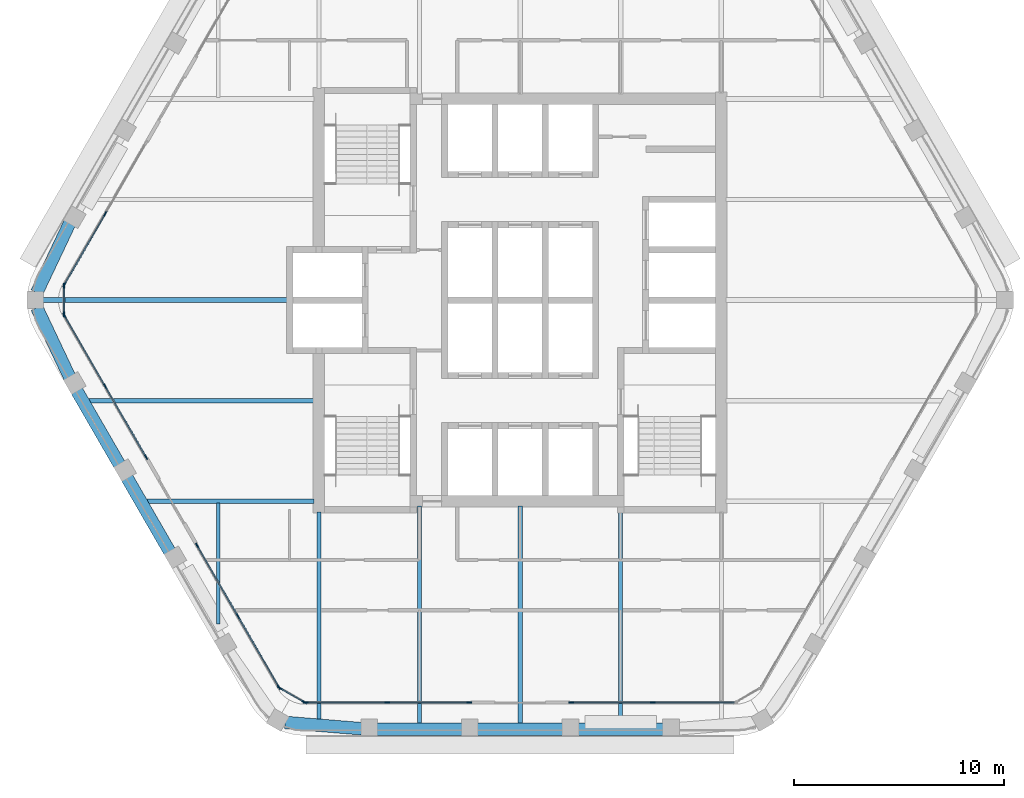
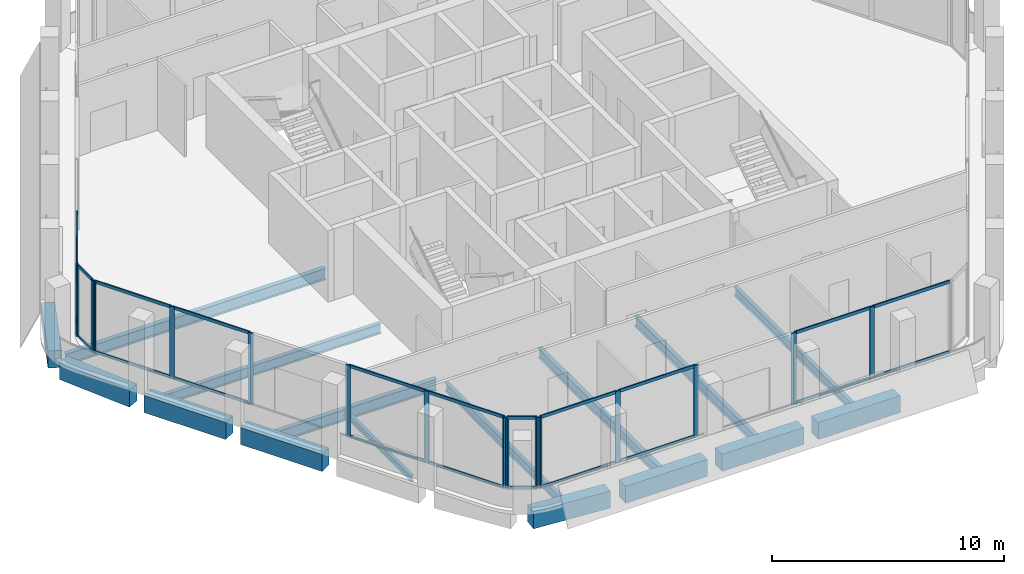
# One storey, part 2 of 14: 39 members, 16 beams, 7 elements without a shape of their own.
"""IFC4 building model written with IfcOpenShell, lengths in metres."""

import ifcopenshell
import ifcopenshell.guid

model = None  # the IFC model being written
_history = None  # IfcOwnerHistory: only IFC2X3 demands one
_inside = {}  # id of a spatial element -> (the spatial element, [elements in it])
_under = {}  # id of a project, library or spatial element -> (it, [spatial elements below it])
_declared = {}  # id of a project -> (the project, [libraries it declares])
_typed = {}  # id of a type object -> (the type object, [elements of that type])
_made_of = {}  # id of a material, layer set ... -> (it, [elements and type objects made of it])


def new_model(schema):
    """Start an empty IFC model of exactly this schema.

    Asked for "IFC4X3", IfcOpenShell would pick the latest addendum, in which some entities
    have other attributes; the version numbers below select the first issue.
    IFC2X3 requires an IfcOwnerHistory on every rooted entity: one is made here for all.
    """
    global model, _history
    if schema == "IFC4X3":
        model = ifcopenshell.file(schema_version=(4, 3, 0, 0))
    else:
        model = ifcopenshell.file(schema=schema)
    _inside.clear()
    _under.clear()
    _declared.clear()
    _typed.clear()
    _made_of.clear()
    _history = None
    if model.schema == "IFC2X3":
        org = make("IfcOrganization", Name="unknown")
        user = make(
            "IfcPersonAndOrganization",
            ThePerson=make("IfcPerson", FamilyName="unknown"),
            TheOrganization=org,
        )
        app = make(
            "IfcApplication",
            ApplicationDeveloper=org,
            Version="unknown",
            ApplicationFullName="unknown",
            ApplicationIdentifier="unknown",
        )
        _history = make(
            "IfcOwnerHistory",
            OwningUser=user,
            OwningApplication=app,
            ChangeAction="ADDED",
            CreationDate=0,
        )
    return model


def make(cls, **values):
    """One entity of the class cls with the attributes given. An attribute that is None is left unset."""
    return model.create_entity(
        cls, **{name: value for name, value in values.items() if value is not None}
    )


def rooted(cls, **values):
    """An entity with a GlobalId (a new one), such as an element, a storey or a relation."""
    return make(cls, GlobalId=ifcopenshell.guid.new(), OwnerHistory=_history, **values)


def si_unit(unit_type, name, prefix=None):
    """IfcSIUnit, for example si_unit("LENGTHUNIT", "METRE", prefix="MILLI")."""
    return make("IfcSIUnit", UnitType=unit_type, Prefix=prefix, Name=name)


def assignment(units):
    """IfcUnitAssignment: the units of a project."""
    return None if units is None else make("IfcUnitAssignment", Units=units)


def point(xyz):
    """IfcCartesianPoint."""
    return None if xyz is None else make("IfcCartesianPoint", Coordinates=xyz)


def direction(xyz):
    """IfcDirection."""
    return None if xyz is None else make("IfcDirection", DirectionRatios=xyz)


def frame(location, z_axis=None, x_axis=None):
    """IfcAxis2Placement3D, a coordinate frame: its origin and axes. An axis left out is left unset."""
    return make(
        "IfcAxis2Placement3D",
        Location=point(location),
        Axis=direction(z_axis),
        RefDirection=direction(x_axis),
    )


def frame_2d(location, x_axis=None):
    """IfcAxis2Placement2D, a coordinate frame in the plane: its origin and x axis."""
    return make(
        "IfcAxis2Placement2D", Location=point(location), RefDirection=direction(x_axis)
    )


def origin():
    """The frame at (0, 0, 0) with its axes left unset."""
    return frame((0.0, 0.0, 0.0))


def origin_2d():
    """The frame at (0, 0) in the plane with its x axis left unset."""
    return frame_2d((0.0, 0.0))


def place(relative_to, where):
    """IfcLocalPlacement: puts the frame where relative to a parent placement (None: the world)."""
    return make(
        "IfcLocalPlacement", PlacementRelTo=relative_to, RelativePlacement=where
    )


def context(
    kind, dimensions, precision=None, world=None, true_north=None, identifier=None
):
    """IfcGeometricRepresentationContext, for example the 3D "Model" context."""
    return make(
        "IfcGeometricRepresentationContext",
        ContextIdentifier=identifier,
        ContextType=kind,
        CoordinateSpaceDimension=dimensions,
        Precision=precision,
        WorldCoordinateSystem=world,
        TrueNorth=true_north,
    )


def subcontext(parent, identifier, kind, view, scale=None):
    """IfcGeometricRepresentationSubContext, for example "Body" below "Model"."""
    return make(
        "IfcGeometricRepresentationSubContext",
        ContextIdentifier=identifier,
        ContextType=kind,
        ParentContext=parent,
        TargetScale=scale,
        TargetView=view,
    )


def project(units=None, contexts=None):
    """IfcProject with its units and contexts."""
    return rooted(
        "IfcProject",
        Name="project",
        RepresentationContexts=contexts,
        UnitsInContext=assignment(units),
    )


def spatial(cls, under=None, at=None, **own):
    """A site, building, storey or space (cls), placed at a placement, below another one or the project."""
    s = rooted(cls, ObjectPlacement=at, **own)
    if under is not None:
        _under.setdefault(under.id(), (under, []))[1].append(s)
    return s


def profile(cls, at=None, kind="AREA", **sizes):
    """A parametric profile (cls). Its sizes go by their IFC names, for example OverallWidth=200.0."""
    return make(cls, ProfileType=kind, Position=at, **sizes)


def rectangle(**sizes):
    """IfcRectangleProfileDef."""
    return profile("IfcRectangleProfileDef", **sizes)


def i_section(**sizes):
    """IfcIShapeProfileDef."""
    return profile("IfcIShapeProfileDef", **sizes)


def extrude(swept, where, along, depth):
    """IfcExtrudedAreaSolid: the profile swept, set in the frame where, extruded along a direction by depth."""
    return make(
        "IfcExtrudedAreaSolid",
        SweptArea=swept,
        Position=where,
        ExtrudedDirection=direction(along),
        Depth=depth,
    )


def shape(context_of_items, identifier, shape_type, items):
    """IfcShapeRepresentation: the items that make up one representation, for example the "Body"."""
    return make(
        "IfcShapeRepresentation",
        ContextOfItems=context_of_items,
        RepresentationIdentifier=identifier,
        RepresentationType=shape_type,
        Items=items,
    )


def material(Name=None, Category=None):
    """IfcMaterial."""
    return make("IfcMaterial", Name=Name, Category=Category)


def material_profile(
    of_material, cross_section, Name=None, Category=None, Priority=None
):
    """IfcMaterialProfile: a cross section and its material."""
    return make(
        "IfcMaterialProfile",
        Name=Name,
        Material=of_material,
        Profile=cross_section,
        Priority=Priority,
        Category=Category,
    )


def profile_set(profiles, Name=None, composite=None):
    """IfcMaterialProfileSet."""
    return make(
        "IfcMaterialProfileSet",
        Name=Name,
        MaterialProfiles=profiles,
        CompositeProfile=composite,
    )


def made_of(thing, what):
    """Note that an element or type object is made of a material, layer set ...; save() writes the relation."""
    if what is not None:
        _made_of.setdefault(what.id(), (what, []))[1].append(thing)
    return thing


def type_object(cls, material=None, **own):
    """A type object (cls), such as IfcWallType, which elements share."""
    return made_of(rooted(cls, **own), material)


def element(
    cls,
    number,
    at=None,
    inside=None,
    cuts=None,
    type_object=None,
    material=None,
    context=None,
    identifier="Body",
    shape_type=None,
    held_by="IfcProductDefinitionShape",
    body=None,
    shapes=None,
    **own,
):
    """One element of the class cls, such as IfcWall. Its Tag is "e" and its number.

    at: its placement. inside: the storey or other place that contains it. cuts: it is an
    opening in that element (IfcRelVoidsElement). A single representation is given by context,
    identifier, shape_type and body (its items); several are given by shapes. held_by: the class
    of the entity that holds the representations. save() writes the other relations.
    """
    e = rooted(cls, Tag="e%d" % number, ObjectPlacement=at, **own)
    if body is not None:
        shapes = [shape(context, identifier, shape_type, body)]
    if shapes is not None:
        e.Representation = make(held_by, Representations=shapes)
    if inside is not None:
        _inside.setdefault(inside.id(), (inside, []))[1].append(e)
    if cuts is not None:
        rooted(
            "IfcRelVoidsElement", RelatingBuildingElement=cuts, RelatedOpeningElement=e
        )
    if type_object is not None:
        _typed.setdefault(type_object.id(), (type_object, []))[1].append(e)
    return made_of(e, material)


def aggregate(whole, parts):
    """IfcRelAggregates: a whole, such as a stair, and the parts it consists of."""
    return rooted("IfcRelAggregates", RelatingObject=whole, RelatedObjects=parts)


def save(model, path):
    """Write the relations noted so far, then the file.

    IfcRelAggregates (storeys below a building ...), IfcRelContainedInSpatialStructure (elements
    in a storey), IfcRelDefinesByType, IfcRelAssociatesMaterial and IfcRelDeclares: one each for
    every whole, place, type object, material and project.
    """
    for whole, parts in _under.values():
        aggregate(whole, parts)
    for where, things in _inside.values():
        rooted(
            "IfcRelContainedInSpatialStructure",
            RelatedElements=things,
            RelatingStructure=where,
        )
    for kind, things in _typed.values():
        rooted("IfcRelDefinesByType", RelatedObjects=things, RelatingType=kind)
    for what, things in _made_of.values():
        rooted("IfcRelAssociatesMaterial", RelatedObjects=things, RelatingMaterial=what)
    for by, libraries in _declared.values():
        rooted("IfcRelDeclares", RelatingContext=by, RelatedDefinitions=libraries)
    model.write(path)


model = new_model("IFC4")

# Units and contexts
model_context = context("Model", 3, precision=1e-05, world=origin(), true_north=direction((0.0, 1.0)))
body_context = subcontext(model_context, "Body", "Model", "MODEL_VIEW")
ifc_project = project(units=[si_unit("LENGTHUNIT", "METRE"), si_unit("AREAUNIT", "SQUARE_METRE"), si_unit("VOLUMEUNIT", "CUBIC_METRE"), si_unit("PLANEANGLEUNIT", "RADIAN"), si_unit("MASSUNIT", "GRAM", prefix="KILO")], contexts=[model_context])

# Site, building, storey
site_placement = place(None, origin())
site = spatial("IfcSite", under=ifc_project, at=site_placement, CompositionType="ELEMENT")
building_placement = place(site_placement, origin())
building = spatial("IfcBuilding", under=site, at=building_placement, Name="Kolab Exchange Tower", CompositionType="ELEMENT")
storey_placement = place(building_placement, frame((0.0, 0.0, 242.300048828125)))
storey = spatial("IfcBuildingStorey", under=building, at=storey_placement, Name="L53", CompositionType="ELEMENT", Elevation=242.300048828125)

# Beams
ifc_material_1 = material(Name="Steel S355", Category="steel")
ifc_material_profile_1 = material_profile(ifc_material_1, i_section(OverallWidth=0.1650390625, OverallDepth=0.31005859375, WebThickness=0.005859375, FlangeThickness=0.009765625, at=origin_2d()), Name="W310X39")
ifc_profile_set_1 = profile_set([ifc_material_profile_1], Name="Steel S355")
beam_type_1 = type_object("IfcBeamType", Name="FLOOR BEAM W310X39", PredefinedType="BEAM", material=ifc_profile_set_1)
beam_1_placement = place(storey_placement, frame((-14.39990234375, -15.4677734375, -0.304931640625), z_axis=(0.0, 1.0, 0.0), x_axis=(-1.0, 0.0, 0.0)))
element("IfcBeam", 1, at=beam_1_placement, inside=storey, type_object=beam_type_1, Name="beam/L53/fr/003", PredefinedType="BEAM", context=body_context, shape_type="SweptSolid", body=[
    extrude(i_section(OverallWidth=0.1650390625, OverallDepth=0.31005859375, WebThickness=0.005859375, FlangeThickness=0.009765625, at=origin_2d()), origin(), (0.0, 0.0, 1.0), 5.793701171875),
])
ifc_material_profile_2 = material_profile(ifc_material_1, i_section(OverallWidth=0.18994140625, OverallDepth=0.45703125, WebThickness=0.009033203125, FlangeThickness=0.014404296875, at=origin_2d()), Name="W460X74")
ifc_profile_set_2 = profile_set([ifc_material_profile_2], Name="Steel S355")
beam_type_2 = type_object("IfcBeamType", Name="FLOOR BEAM W460X74", PredefinedType="BEAM", material=ifc_profile_set_2)
beam_2_placement = place(storey_placement, frame((-9.60009765625, -20.027099609375, -0.378662109375), z_axis=(0.0, 1.0, 0.0), x_axis=(-1.0, 0.0, 0.0)))
element("IfcBeam", 2, at=beam_2_placement, inside=storey, type_object=beam_type_2, Name="beam/L53/fr/005", PredefinedType="BEAM", context=body_context, shape_type="SweptSolid", body=[
    extrude(i_section(OverallWidth=0.18994140625, OverallDepth=0.45703125, WebThickness=0.009033203125, FlangeThickness=0.014404296875, at=origin_2d()), origin(), (0.0, 0.0, 1.0), 9.9169921875),
])
beam_3_placement = place(storey_placement, frame((4.800048828125, -20.224609375, -0.378662109375), z_axis=(0.0, 1.0, 0.0), x_axis=(-1.0, 0.0, 0.0)))
element("IfcBeam", 3, at=beam_3_placement, inside=storey, type_object=beam_type_2, Name="beam/L53/fr/011", PredefinedType="BEAM", context=body_context, shape_type="SweptSolid", body=[
    extrude(i_section(OverallWidth=0.18994140625, OverallDepth=0.45703125, WebThickness=0.009033203125, FlangeThickness=0.014404296875, at=origin_2d()), origin(), (0.0, 0.0, 1.0), 10.114501953125),
])
ifc_material_profile_3 = material_profile(ifc_material_1, i_section(OverallWidth=0.208984375, OverallDepth=0.532958984375, WebThickness=0.01025390625, FlangeThickness=0.015625, at=origin_2d()), Name="W530X92")
ifc_profile_set_3 = profile_set([ifc_material_profile_3], Name="Steel S355")
beam_type_3 = type_object("IfcBeamType", Name="FLOOR BEAM W530X92", PredefinedType="BEAM", material=ifc_profile_set_3)
beam_4_placement = place(storey_placement, frame((-20.575927734375, -4.800048828125, -0.41650390625), z_axis=(1.0, 0.0, 0.0), x_axis=(0.0, 1.0, 0.0)))
element("IfcBeam", 4, at=beam_4_placement, inside=storey, type_object=beam_type_3, Name="beam/L53/fr/001", PredefinedType="BEAM", context=body_context, shape_type="SweptSolid", body=[
    extrude(i_section(OverallWidth=0.208984375, OverallDepth=0.532958984375, WebThickness=0.01025390625, FlangeThickness=0.015625, at=origin_2d()), origin(), (0.0, 0.0, 1.0), 10.740966796875),
])
for number, where, z_axis, x_axis, name in (
    (5, (-4.800048828125, -20.224609375, -0.41650390625), (0.0, 1.0, 0.0), (-1.0, 0.0, 0.0), "beam/L53/fr/007"),
    (6, (0.0, -20.224609375, -0.41650390625), (0.0, 1.0, 0.0), (-1.0, 0.0, 0.0), "beam/L53/fr/009"),
):
    element("IfcBeam", number, at=place(storey_placement, frame(where, z_axis=z_axis, x_axis=x_axis)), inside=storey, type_object=beam_type_3, Name=name, PredefinedType="BEAM", context=body_context, shape_type="SweptSolid", body=[
        extrude(i_section(OverallWidth=0.208984375, OverallDepth=0.532958984375, WebThickness=0.01025390625, FlangeThickness=0.015625, at=origin_2d()), origin(), (0.0, 0.0, 1.0), 10.3896484375),
    ])
ifc_material_profile_4 = material_profile(ifc_material_1, i_section(OverallWidth=0.22802734375, OverallDepth=0.60791015625, WebThickness=0.01123046875, FlangeThickness=0.017333984375, at=origin_2d()), Name="W610X113")
ifc_profile_set_4 = profile_set([ifc_material_profile_4], Name="Steel S355")
beam_type_4 = type_object("IfcBeamType", Name="FLOOR BEAM W610X113", PredefinedType="BEAM", material=ifc_profile_set_4)
beam_5_placement = place(storey_placement, frame((-22.77587890625, 0.0, -0.4541015625), z_axis=(1.0, 0.0, 0.0), x_axis=(0.0, 1.0, 0.0)))
element("IfcBeam", 7, at=beam_5_placement, inside=storey, type_object=beam_type_4, Name="beam/L53/fr/000", PredefinedType="BEAM", context=body_context, shape_type="SweptSolid", body=[
    extrude(i_section(OverallWidth=0.22802734375, OverallDepth=0.60791015625, WebThickness=0.01123046875, FlangeThickness=0.017333984375, at=origin_2d()), origin(), (0.0, 0.0, 1.0), 12.94091796875),
])
ifc_material_profile_5 = material_profile(ifc_material_1, i_section(OverallWidth=0.22802734375, OverallDepth=0.60791015625, WebThickness=0.01123046875, FlangeThickness=0.017333984375, at=origin_2d()), Name="W610X113")
ifc_profile_set_5 = profile_set([ifc_material_profile_5], Name="Steel S355")
beam_type_5 = type_object("IfcBeamType", Name="FLOOR GIRDER W610X113", PredefinedType="BEAM", material=ifc_profile_set_5)
beam_6_placement = place(storey_placement, frame((-17.8046875, -9.60009765625, -0.4541015625), z_axis=(1.0, 0.0, 0.0), x_axis=(0.0, 1.0, 0.0)))
element("IfcBeam", 8, at=beam_6_placement, inside=storey, type_object=beam_type_5, Name="beam/L53/gd/000", PredefinedType="BEAM", context=body_context, shape_type="SweptSolid", body=[
    extrude(i_section(OverallWidth=0.22802734375, OverallDepth=0.60791015625, WebThickness=0.01123046875, FlangeThickness=0.017333984375, at=origin_2d()), origin(), (0.0, 0.0, 1.0), 7.9697265625),
])
ifc_material_2 = material(Name="Concrete C50/60", Category="concrete")
ifc_material_profile_6 = material_profile(ifc_material_2, rectangle(XDim=0.60009765625, YDim=0.89990234375, at=origin_2d()), Name="RC600X900")
ifc_profile_set_6 = profile_set([ifc_material_profile_6], Name="Concrete C50/60")
beam_type_6 = type_object("IfcBeamType", Name="SPANDREL BEAM 600X900 C50/60", PredefinedType="BEAM", material=ifc_profile_set_6)
for number, where, z_axis, x_axis, name in (
    (9, (6.840087890625, -20.484619140625, -0.60009765625), (-1.0, 0.0, 0.0), (0.0, -1.0, 0.0), "beam/L53/sp/F4-02"),
    (10, (2.0400390625, -20.484619140625, -0.60009765625), (-1.0, 0.0, 0.0), (0.0, -1.0, 0.0), "beam/L53/sp/F4-03"),
    (11, (-2.760009765625, -20.484619140625, -0.60009765625), (-1.0, 0.0, 0.0), (0.0, -1.0, 0.0), "beam/L53/sp/F4-04"),
):
    element("IfcBeam", number, at=place(storey_placement, frame(where, z_axis=z_axis, x_axis=x_axis)), inside=storey, type_object=beam_type_6, Name=name, PredefinedType="BEAM", context=body_context, shape_type="SweptSolid", body=[
        extrude(rectangle(XDim=0.60009765625, YDim=0.89990234375, at=origin_2d()), origin(), (0.0, 0.0, 1.0), 4.080078125),
    ])
beam_7_placement = place(storey_placement, frame((-7.56005859375, -20.455078125, -0.60009765625), z_axis=(-0.996666751878, 0.081580547323, 0.0), x_axis=(-0.081580547323, -0.996666751878, 0.0)))
element("IfcBeam", 12, at=beam_7_placement, inside=storey, type_object=beam_type_6, Name="beam/L53/sp/F4-05", PredefinedType="BEAM", context=body_context, shape_type="SweptSolid", body=[
    extrude(rectangle(XDim=0.60009765625, YDim=0.89990234375, at=origin_2d()), origin(), (0.0, 0.0, 1.0), 3.6689453125),
])
for number, where, z_axis, x_axis, name in (
    (13, (-16.72021484375, -12.009033203125, -0.60009765625), (-0.500000428765, 0.866025156237, 0.0), (-0.866025156237, -0.500000428765, 0.0), "beam/L53/sp/F5-03"),
    (14, (-19.1201171875, -7.85205078125, -0.60009765625), (-0.500000428765, 0.866025156237, 0.0), (-0.866025156237, -0.500000428765, 0.0), "beam/L53/sp/F5-04"),
):
    element("IfcBeam", number, at=place(storey_placement, frame(where, z_axis=z_axis, x_axis=x_axis)), inside=storey, type_object=beam_type_6, Name=name, PredefinedType="BEAM", context=body_context, shape_type="SweptSolid", body=[
        extrude(rectangle(XDim=0.60009765625, YDim=0.89990234375, at=origin_2d()), origin(), (0.0, 0.0, 1.0), 4.080078125),
    ])
for number, where, z_axis, x_axis, name in (
    (15, (-21.49462890625, -3.68017578125, -0.60009765625), (-0.427677251998, 0.903931506323, 0.0), (-0.903931506323, -0.427677251998, 0.0), "beam/L53/sp/F5-05"),
    (16, (-23.063720703125, 0.36376953125, -0.60009765625), (0.427677251998, 0.903931506323, 0.0), (-0.903931506323, 0.427677251998, 0.0), "beam/L53/sp/F6-01"),
):
    element("IfcBeam", number, at=place(storey_placement, frame(where, z_axis=z_axis, x_axis=x_axis)), inside=storey, type_object=beam_type_6, Name=name, PredefinedType="BEAM", context=body_context, shape_type="SweptSolid", body=[
        extrude(rectangle(XDim=0.60009765625, YDim=0.89990234375, at=origin_2d()), origin(), (0.0, 0.0, 1.0), 3.6689453125),
    ])

# Curtain wall, members
ifc_material_3 = material(Name="Aluminium EN AW-6063 T6", Category="aluminium")
curtain_wall_type = type_object("IfcCurtainWallType", Name="UNITISED HIGH ZONE CURTAIN WALL", PredefinedType="NOTDEFINED", material=ifc_material_3)
curtain_wall_1_placement = place(storey_placement, origin())
curtain_wall_1 = element("IfcCurtainWall", 17, at=curtain_wall_1_placement, inside=storey, type_object=curtain_wall_type, Name="cw/L53/F4-1", PredefinedType="NOTDEFINED")
ifc_material_profile_7 = material_profile(ifc_material_3, rectangle(XDim=0.06005859375, YDim=0.239990234375, at=origin_2d()), Name="RECT 60X240")
ifc_profile_set_7 = profile_set([ifc_material_profile_7], Name="Aluminium EN AW-6063 T6")
member_type_1 = type_object("IfcMemberType", Name="UNITISED HIGH ZONE MULLION 60 X 240", PredefinedType="MULLION", material=ifc_profile_set_7)
member_1_placement = place(storey_placement, frame((6.333984375, -19.20458984375, 0.0), z_axis=(0.0, 0.0, 1.0), x_axis=(0.0, -1.0, 0.0)))
member_1 = element("IfcMember", 18, at=member_1_placement, type_object=member_type_1, Name="CW4 mullion 2", PredefinedType="MULLION", context=body_context, shape_type="SweptSolid", body=[
    extrude(rectangle(XDim=0.06005859375, YDim=0.239990234375, at=origin_2d()), origin(), (0.0, 0.0, 1.0), 3.75),
])
member_2_placement = place(storey_placement, frame((2.429931640625, -19.20458984375, 0.0), z_axis=(0.0, 0.0, 1.0), x_axis=(0.0, -1.0, 0.0)))
member_2 = element("IfcMember", 19, at=member_2_placement, type_object=member_type_1, Name="CW4 mullion 3", PredefinedType="MULLION", context=body_context, shape_type="SweptSolid", body=[
    extrude(rectangle(XDim=0.06005859375, YDim=0.239990234375, at=origin_2d()), origin(), (0.0, 0.0, 1.0), 3.75),
])

curtain_wall_2_placement = place(storey_placement, origin())
curtain_wall_2 = element("IfcCurtainWall", 20, at=curtain_wall_2_placement, inside=storey, type_object=curtain_wall_type, Name="cw/L53/F4-2", PredefinedType="NOTDEFINED")
member_3_placement = place(storey_placement, frame((-2.429931640625, -19.20458984375, 0.0), z_axis=(0.0, 0.0, 1.0), x_axis=(0.0, -1.0, 0.0)))
member_3 = element("IfcMember", 21, at=member_3_placement, type_object=member_type_1, Name="CW4 mullion 1", PredefinedType="MULLION", context=body_context, shape_type="SweptSolid", body=[
    extrude(rectangle(XDim=0.06005859375, YDim=0.239990234375, at=origin_2d()), origin(), (0.0, 0.0, 1.0), 3.75),
])
member_4_placement = place(storey_placement, frame((-6.333984375, -19.20458984375, 0.0), z_axis=(0.0, 0.0, 1.0), x_axis=(0.0, -1.0, 0.0)))
member_4 = element("IfcMember", 22, at=member_4_placement, type_object=member_type_1, Name="CW4 mullion 2", PredefinedType="MULLION", context=body_context, shape_type="SweptSolid", body=[
    extrude(rectangle(XDim=0.06005859375, YDim=0.239990234375, at=origin_2d()), origin(), (0.0, 0.0, 1.0), 3.75),
])
member_5_placement = place(storey_placement, frame((-10.238037109375, -19.20458984375, 0.0), z_axis=(0.0, 0.0, 1.0), x_axis=(0.0, -1.0, 0.0)))
member_5 = element("IfcMember", 23, at=member_5_placement, type_object=member_type_1, Name="CW4 mullion 3", PredefinedType="MULLION", context=body_context, shape_type="SweptSolid", body=[
    extrude(rectangle(XDim=0.06005859375, YDim=0.239990234375, at=origin_2d()), origin(), (0.0, 0.0, 1.0), 3.75),
])

curtain_wall_3_placement = place(storey_placement, origin())
curtain_wall_3 = element("IfcCurtainWall", 24, at=curtain_wall_3_placement, inside=storey, type_object=curtain_wall_type, Name="cw/L53/F5-1", PredefinedType="NOTDEFINED")
member_6_placement = place(storey_placement, frame((-11.5126953125, -18.46875, 0.0), z_axis=(0.0, 0.0, 1.0), x_axis=(-0.866025385493, -0.500000031681, 0.0)))
member_6 = element("IfcMember", 25, at=member_6_placement, type_object=member_type_1, Name="CW4 mullion 1", PredefinedType="MULLION", context=body_context, shape_type="SweptSolid", body=[
    extrude(rectangle(XDim=0.06005859375, YDim=0.239990234375, at=origin_2d()), origin(), (0.0, 0.0, 1.0), 3.75),
])
member_7_placement = place(storey_placement, frame((-13.464599609375, -15.087646484375, 0.0), z_axis=(0.0, 0.0, 1.0), x_axis=(-0.866025385493, -0.500000031681, 0.0)))
member_7 = element("IfcMember", 26, at=member_7_placement, type_object=member_type_1, Name="CW4 mullion 2", PredefinedType="MULLION", context=body_context, shape_type="SweptSolid", body=[
    extrude(rectangle(XDim=0.06005859375, YDim=0.239990234375, at=origin_2d()), origin(), (0.0, 0.0, 1.0), 3.75),
])
member_8_placement = place(storey_placement, frame((-15.416748046875, -11.706787109375, 0.0), z_axis=(0.0, 0.0, 1.0), x_axis=(-0.866025385493, -0.500000031681, 0.0)))
member_8 = element("IfcMember", 27, at=member_8_placement, type_object=member_type_1, Name="CW4 mullion 3", PredefinedType="MULLION", context=body_context, shape_type="SweptSolid", body=[
    extrude(rectangle(XDim=0.06005859375, YDim=0.239990234375, at=origin_2d()), origin(), (0.0, 0.0, 1.0), 3.75),
])

curtain_wall_4_placement = place(storey_placement, origin())
curtain_wall_4 = element("IfcCurtainWall", 28, at=curtain_wall_4_placement, inside=storey, type_object=curtain_wall_type, Name="cw/L53/F5-2", PredefinedType="NOTDEFINED")
member_9_placement = place(storey_placement, frame((-17.8466796875, -7.497802734375, 0.0), z_axis=(0.0, 0.0, 1.0), x_axis=(-0.866025440524, -0.499999936366, 0.0)))
member_9 = element("IfcMember", 29, at=member_9_placement, type_object=member_type_1, Name="CW4 mullion 1", PredefinedType="MULLION", context=body_context, shape_type="SweptSolid", body=[
    extrude(rectangle(XDim=0.06005859375, YDim=0.239990234375, at=origin_2d()), origin(), (0.0, 0.0, 1.0), 3.75),
])
member_10_placement = place(storey_placement, frame((-19.798583984375, -4.116943359375, 0.0), z_axis=(0.0, 0.0, 1.0), x_axis=(-0.866025440524, -0.499999936366, 0.0)))
member_10 = element("IfcMember", 30, at=member_10_placement, type_object=member_type_1, Name="CW4 mullion 2", PredefinedType="MULLION", context=body_context, shape_type="SweptSolid", body=[
    extrude(rectangle(XDim=0.06005859375, YDim=0.239990234375, at=origin_2d()), origin(), (0.0, 0.0, 1.0), 3.75),
])
member_11_placement = place(storey_placement, frame((-21.750732421875, -0.736083984375, 0.0), z_axis=(0.0, 0.0, 1.0), x_axis=(-0.866025440524, -0.499999936366, 0.0)))
member_11 = element("IfcMember", 31, at=member_11_placement, type_object=member_type_1, Name="CW4 mullion 3", PredefinedType="MULLION", context=body_context, shape_type="SweptSolid", body=[
    extrude(rectangle(XDim=0.06005859375, YDim=0.239990234375, at=origin_2d()), origin(), (0.0, 0.0, 1.0), 3.75),
])

curtain_wall_5_placement = place(storey_placement, origin())
curtain_wall_5 = element("IfcCurtainWall", 32, at=curtain_wall_5_placement, inside=storey, type_object=curtain_wall_type, Name="cw/L53/F6-1", PredefinedType="NOTDEFINED")
member_12_placement = place(storey_placement, frame((-21.750732421875, 0.736083984375, 0.0), z_axis=(0.0, 0.0, 1.0), x_axis=(-0.866025440524, 0.499999936366, 0.0)))
member_12 = element("IfcMember", 33, at=member_12_placement, type_object=member_type_1, Name="CW4 mullion 1", PredefinedType="MULLION", context=body_context, shape_type="SweptSolid", body=[
    extrude(rectangle(XDim=0.06005859375, YDim=0.239990234375, at=origin_2d()), origin(), (0.0, 0.0, 1.0), 3.75),
])
member_13_placement = place(storey_placement, frame((-19.798583984375, 4.116943359375, 0.0), z_axis=(0.0, 0.0, 1.0), x_axis=(-0.866025440524, 0.499999936366, 0.0)))
member_13 = element("IfcMember", 34, at=member_13_placement, type_object=member_type_1, Name="CW4 mullion 2", PredefinedType="MULLION", context=body_context, shape_type="SweptSolid", body=[
    extrude(rectangle(XDim=0.06005859375, YDim=0.239990234375, at=origin_2d()), origin(), (0.0, 0.0, 1.0), 3.75),
])

curtain_wall_6_placement = place(storey_placement, origin())
curtain_wall_6 = element("IfcCurtainWall", 35, at=curtain_wall_6_placement, inside=storey, type_object=curtain_wall_type, Name="cw/L53/F4F5-corner", PredefinedType="NOTDEFINED")
member_14_placement = place(storey_placement, frame((-10.2939453125, -19.189697265625, 0.0), z_axis=(0.0, 0.0, 1.0), x_axis=(-0.50000002237, -0.866025390869, 0.0)))
member_14 = element("IfcMember", 36, at=member_14_placement, type_object=member_type_1, Name="CW4 mullion 1", PredefinedType="MULLION", context=body_context, shape_type="SweptSolid", body=[
    extrude(rectangle(XDim=0.06005859375, YDim=0.239990234375, at=origin_2d()), origin(), (0.0, 0.0, 1.0), 3.75),
])
member_15_placement = place(storey_placement, frame((-11.4716796875, -18.509521484375, 0.0), z_axis=(0.0, 0.0, 1.0), x_axis=(-0.50000002237, -0.866025390869, 0.0)))
member_15 = element("IfcMember", 37, at=member_15_placement, type_object=member_type_1, Name="CW4 mullion 2", PredefinedType="MULLION", context=body_context, shape_type="SweptSolid", body=[
    extrude(rectangle(XDim=0.06005859375, YDim=0.239990234375, at=origin_2d()), origin(), (0.0, 0.0, 1.0), 3.75),
])

curtain_wall_7_placement = place(storey_placement, origin())
curtain_wall_7 = element("IfcCurtainWall", 38, at=curtain_wall_7_placement, inside=storey, type_object=curtain_wall_type, Name="cw/L53/F5F6-corner", PredefinedType="NOTDEFINED")
member_16_placement = place(storey_placement, frame((-21.765625, -0.679931640625, 0.0), z_axis=(0.0, 0.0, 1.0), x_axis=(-1.0, 0.0, 0.0)))
member_16 = element("IfcMember", 39, at=member_16_placement, type_object=member_type_1, Name="CW4 mullion 1", PredefinedType="MULLION", context=body_context, shape_type="SweptSolid", body=[
    extrude(rectangle(XDim=0.06005859375, YDim=0.239990234375, at=origin_2d()), origin(), (0.0, 0.0, 1.0), 3.75),
])
member_17_placement = place(storey_placement, frame((-21.765625, 0.679931640625, 0.0), z_axis=(0.0, 0.0, 1.0), x_axis=(-1.0, 0.0, 0.0)))
member_17 = element("IfcMember", 40, at=member_17_placement, type_object=member_type_1, Name="CW4 mullion 2", PredefinedType="MULLION", context=body_context, shape_type="SweptSolid", body=[
    extrude(rectangle(XDim=0.06005859375, YDim=0.239990234375, at=origin_2d()), origin(), (0.0, 0.0, 1.0), 3.75),
])

# Member
ifc_material_profile_8 = material_profile(ifc_material_3, rectangle(XDim=0.06005859375, YDim=0.159912109375, at=origin_2d()), Name="RECT 60X160")
ifc_profile_set_8 = profile_set([ifc_material_profile_8], Name="Aluminium EN AW-6063 T6")
member_type_2 = type_object("IfcMemberType", Name="UNITISED HIGH ZONE TRANSOM 60 X 160", PredefinedType="USERDEFINED", material=ifc_profile_set_8)
member_18_placement = place(storey_placement, frame((10.2080078125, -19.20458984375, 0.030029296875), z_axis=(-1.0, 0.0, 0.0), x_axis=(0.0, -1.0, 0.0)))
member_18 = element("IfcMember", 41, at=member_18_placement, type_object=member_type_2, Name="CW4 transom 1.1", ObjectType="TRANSOM", PredefinedType="USERDEFINED", context=body_context, shape_type="SweptSolid", body=[
    extrude(rectangle(XDim=0.06005859375, YDim=0.159912109375, at=origin_2d()), origin(), (0.0, 0.0, 1.0), 3.843994140625),
])

member_19_placement = place(storey_placement, frame((10.2080078125, -19.20458984375, 3.719970703125), z_axis=(-1.0, 0.0, 0.0), x_axis=(0.0, -1.0, 0.0)))
member_19 = element("IfcMember", 42, at=member_19_placement, type_object=member_type_2, Name="CW4 transom 1.2", ObjectType="TRANSOM", PredefinedType="USERDEFINED", context=body_context, shape_type="SweptSolid", body=[
    extrude(rectangle(XDim=0.06005859375, YDim=0.159912109375, at=origin_2d()), origin(), (0.0, 0.0, 1.0), 3.843994140625),
])

member_20_placement = place(storey_placement, frame((6.303955078125, -19.20458984375, 0.030029296875), z_axis=(-1.0, 0.0, 0.0), x_axis=(0.0, -1.0, 0.0)))
member_20 = element("IfcMember", 43, at=member_20_placement, type_object=member_type_2, Name="CW4 transom 2.1", ObjectType="TRANSOM", PredefinedType="USERDEFINED", context=body_context, shape_type="SweptSolid", body=[
    extrude(rectangle(XDim=0.06005859375, YDim=0.159912109375, at=origin_2d()), origin(), (0.0, 0.0, 1.0), 3.843994140625),
])

member_21_placement = place(storey_placement, frame((6.303955078125, -19.20458984375, 3.719970703125), z_axis=(-1.0, 0.0, 0.0), x_axis=(0.0, -1.0, 0.0)))
member_21 = element("IfcMember", 44, at=member_21_placement, type_object=member_type_2, Name="CW4 transom 2.2", ObjectType="TRANSOM", PredefinedType="USERDEFINED", context=body_context, shape_type="SweptSolid", body=[
    extrude(rectangle(XDim=0.06005859375, YDim=0.159912109375, at=origin_2d()), origin(), (0.0, 0.0, 1.0), 3.843994140625),
])

aggregate(curtain_wall_1, [member_1, member_2, member_18, member_19, member_20, member_21])

member_22_placement = place(storey_placement, frame((-2.4599609375, -19.20458984375, 0.030029296875), z_axis=(-1.0, 0.0, 0.0), x_axis=(0.0, -1.0, 0.0)))
member_22 = element("IfcMember", 45, at=member_22_placement, type_object=member_type_2, Name="CW4 transom 1.1", ObjectType="TRANSOM", PredefinedType="USERDEFINED", context=body_context, shape_type="SweptSolid", body=[
    extrude(rectangle(XDim=0.06005859375, YDim=0.159912109375, at=origin_2d()), origin(), (0.0, 0.0, 1.0), 3.843994140625),
])

member_23_placement = place(storey_placement, frame((-2.4599609375, -19.20458984375, 3.719970703125), z_axis=(-1.0, 0.0, 0.0), x_axis=(0.0, -1.0, 0.0)))
member_23 = element("IfcMember", 46, at=member_23_placement, type_object=member_type_2, Name="CW4 transom 1.2", ObjectType="TRANSOM", PredefinedType="USERDEFINED", context=body_context, shape_type="SweptSolid", body=[
    extrude(rectangle(XDim=0.06005859375, YDim=0.159912109375, at=origin_2d()), origin(), (0.0, 0.0, 1.0), 3.843994140625),
])

member_24_placement = place(storey_placement, frame((-6.364013671875, -19.20458984375, 0.030029296875), z_axis=(-1.0, 0.0, 0.0), x_axis=(0.0, -1.0, 0.0)))
member_24 = element("IfcMember", 47, at=member_24_placement, type_object=member_type_2, Name="CW4 transom 2.1", ObjectType="TRANSOM", PredefinedType="USERDEFINED", context=body_context, shape_type="SweptSolid", body=[
    extrude(rectangle(XDim=0.06005859375, YDim=0.159912109375, at=origin_2d()), origin(), (0.0, 0.0, 1.0), 3.843994140625),
])

member_25_placement = place(storey_placement, frame((-6.364013671875, -19.20458984375, 3.719970703125), z_axis=(-1.0, 0.0, 0.0), x_axis=(0.0, -1.0, 0.0)))
member_25 = element("IfcMember", 48, at=member_25_placement, type_object=member_type_2, Name="CW4 transom 2.2", ObjectType="TRANSOM", PredefinedType="USERDEFINED", context=body_context, shape_type="SweptSolid", body=[
    extrude(rectangle(XDim=0.06005859375, YDim=0.159912109375, at=origin_2d()), origin(), (0.0, 0.0, 1.0), 3.843994140625),
])

aggregate(curtain_wall_2, [member_3, member_4, member_5, member_22, member_23, member_24, member_25])

member_26_placement = place(storey_placement, frame((-11.527587890625, -18.442626953125, 0.030029296875), z_axis=(-0.500039492609, 0.866002601515, 0.0), x_axis=(-0.866002601515, -0.500039492609, 0.0)))
member_26 = element("IfcMember", 49, at=member_26_placement, type_object=member_type_2, Name="CW4 transom 1.1", ObjectType="TRANSOM", PredefinedType="USERDEFINED", context=body_context, shape_type="SweptSolid", body=[
    extrude(rectangle(XDim=0.06005859375, YDim=0.159912109375, at=origin_2d()), origin(), (0.0, 0.0, 1.0), 3.843994140625),
])

member_27_placement = place(storey_placement, frame((-11.527587890625, -18.442626953125, 3.719970703125), z_axis=(-0.500039492609, 0.866002601515, 0.0), x_axis=(-0.866002601515, -0.500039492609, 0.0)))
member_27 = element("IfcMember", 50, at=member_27_placement, type_object=member_type_2, Name="CW4 transom 1.2", ObjectType="TRANSOM", PredefinedType="USERDEFINED", context=body_context, shape_type="SweptSolid", body=[
    extrude(rectangle(XDim=0.06005859375, YDim=0.159912109375, at=origin_2d()), origin(), (0.0, 0.0, 1.0), 3.843994140625),
])

member_28_placement = place(storey_placement, frame((-13.479736328125, -15.061767578125, 0.030029296875), z_axis=(-0.499964356602, 0.866045981532, 0.0), x_axis=(-0.866045981532, -0.499964356602, 0.0)))
member_28 = element("IfcMember", 51, at=member_28_placement, type_object=member_type_2, Name="CW4 transom 2.1", ObjectType="TRANSOM", PredefinedType="USERDEFINED", context=body_context, shape_type="SweptSolid", body=[
    extrude(rectangle(XDim=0.06005859375, YDim=0.159912109375, at=origin_2d()), origin(), (0.0, 0.0, 1.0), 3.843994140625),
])

member_29_placement = place(storey_placement, frame((-13.479736328125, -15.061767578125, 3.719970703125), z_axis=(-0.499964356602, 0.866045981532, 0.0), x_axis=(-0.866045981532, -0.499964356602, 0.0)))
member_29 = element("IfcMember", 52, at=member_29_placement, type_object=member_type_2, Name="CW4 transom 2.2", ObjectType="TRANSOM", PredefinedType="USERDEFINED", context=body_context, shape_type="SweptSolid", body=[
    extrude(rectangle(XDim=0.06005859375, YDim=0.159912109375, at=origin_2d()), origin(), (0.0, 0.0, 1.0), 3.843994140625),
])

aggregate(curtain_wall_3, [member_6, member_7, member_8, member_26, member_27, member_28, member_29])

member_30_placement = place(storey_placement, frame((-17.861572265625, -7.471923828125, 0.030029296875), z_axis=(-0.500011990396, 0.866018481016, 0.0), x_axis=(-0.866018481016, -0.500011990396, 0.0)))
member_30 = element("IfcMember", 53, at=member_30_placement, type_object=member_type_2, Name="CW4 transom 1.1", ObjectType="TRANSOM", PredefinedType="USERDEFINED", context=body_context, shape_type="SweptSolid", body=[
    extrude(rectangle(XDim=0.06005859375, YDim=0.159912109375, at=origin_2d()), origin(), (0.0, 0.0, 1.0), 3.84423828125),
])

member_31_placement = place(storey_placement, frame((-17.861572265625, -7.471923828125, 3.719970703125), z_axis=(-0.500011990396, 0.866018481016, 0.0), x_axis=(-0.866018481016, -0.500011990396, 0.0)))
member_31 = element("IfcMember", 54, at=member_31_placement, type_object=member_type_2, Name="CW4 transom 1.2", ObjectType="TRANSOM", PredefinedType="USERDEFINED", context=body_context, shape_type="SweptSolid", body=[
    extrude(rectangle(XDim=0.06005859375, YDim=0.159912109375, at=origin_2d()), origin(), (0.0, 0.0, 1.0), 3.84423828125),
])

member_32_placement = place(storey_placement, frame((-19.813720703125, -4.0908203125, 0.030029296875), z_axis=(-0.499991857942, 0.866030104553, 0.0), x_axis=(-0.866030104553, -0.499991857942, 0.0)))
member_32 = element("IfcMember", 55, at=member_32_placement, type_object=member_type_2, Name="CW4 transom 2.1", ObjectType="TRANSOM", PredefinedType="USERDEFINED", context=body_context, shape_type="SweptSolid", body=[
    extrude(rectangle(XDim=0.06005859375, YDim=0.159912109375, at=origin_2d()), origin(), (0.0, 0.0, 1.0), 3.84375),
])

member_33_placement = place(storey_placement, frame((-19.813720703125, -4.0908203125, 3.719970703125), z_axis=(-0.499991857942, 0.866030104553, 0.0), x_axis=(-0.866030104553, -0.499991857942, 0.0)))
member_33 = element("IfcMember", 56, at=member_33_placement, type_object=member_type_2, Name="CW4 transom 2.2", ObjectType="TRANSOM", PredefinedType="USERDEFINED", context=body_context, shape_type="SweptSolid", body=[
    extrude(rectangle(XDim=0.06005859375, YDim=0.159912109375, at=origin_2d()), origin(), (0.0, 0.0, 1.0), 3.84375),
])

aggregate(curtain_wall_4, [member_9, member_10, member_11, member_30, member_31, member_32, member_33])

member_34_placement = place(storey_placement, frame((-21.735595703125, 0.761962890625, 0.030029296875), z_axis=(0.499991857942, 0.866030104553, 0.0), x_axis=(-0.866030104553, 0.499991857942, 0.0)))
member_34 = element("IfcMember", 57, at=member_34_placement, type_object=member_type_2, Name="CW4 transom 1.1", ObjectType="TRANSOM", PredefinedType="USERDEFINED", context=body_context, shape_type="SweptSolid", body=[
    extrude(rectangle(XDim=0.06005859375, YDim=0.159912109375, at=origin_2d()), origin(), (0.0, 0.0, 1.0), 3.84375),
])

member_35_placement = place(storey_placement, frame((-21.735595703125, 0.761962890625, 3.719970703125), z_axis=(0.499991857942, 0.866030104553, 0.0), x_axis=(-0.866030104553, 0.499991857942, 0.0)))
member_35 = element("IfcMember", 58, at=member_35_placement, type_object=member_type_2, Name="CW4 transom 1.2", ObjectType="TRANSOM", PredefinedType="USERDEFINED", context=body_context, shape_type="SweptSolid", body=[
    extrude(rectangle(XDim=0.06005859375, YDim=0.159912109375, at=origin_2d()), origin(), (0.0, 0.0, 1.0), 3.84375),
])

aggregate(curtain_wall_5, [member_12, member_13, member_34, member_35])

member_36_placement = place(storey_placement, frame((-10.31982421875, -19.174560546875, 0.030029296875), z_axis=(-0.866085525409, 0.49989585183, 0.0), x_axis=(-0.49989585183, -0.866085525409, 0.0)))
member_36 = element("IfcMember", 59, at=member_36_placement, type_object=member_type_2, Name="CW4 transom 1.1", ObjectType="TRANSOM", PredefinedType="USERDEFINED", context=body_context, shape_type="SweptSolid", body=[
    extrude(rectangle(XDim=0.06005859375, YDim=0.159912109375, at=origin_2d()), origin(), (0.0, 0.0, 1.0), 1.300048828125),
])

member_37_placement = place(storey_placement, frame((-10.31982421875, -19.174560546875, 3.719970703125), z_axis=(-0.866085525409, 0.49989585183, 0.0), x_axis=(-0.49989585183, -0.866085525409, 0.0)))
member_37 = element("IfcMember", 60, at=member_37_placement, type_object=member_type_2, Name="CW4 transom 1.2", ObjectType="TRANSOM", PredefinedType="USERDEFINED", context=body_context, shape_type="SweptSolid", body=[
    extrude(rectangle(XDim=0.06005859375, YDim=0.159912109375, at=origin_2d()), origin(), (0.0, 0.0, 1.0), 1.300048828125),
])

aggregate(curtain_wall_6, [member_14, member_15, member_36, member_37])

member_38_placement = place(storey_placement, frame((-21.765625, -0.64990234375, 0.030029296875), z_axis=(0.0, 1.0, 0.0), x_axis=(-1.0, 0.0, 0.0)))
member_38 = element("IfcMember", 61, at=member_38_placement, type_object=member_type_2, Name="CW4 transom 1.1", ObjectType="TRANSOM", PredefinedType="USERDEFINED", context=body_context, shape_type="SweptSolid", body=[
    extrude(rectangle(XDim=0.06005859375, YDim=0.159912109375, at=origin_2d()), origin(), (0.0, 0.0, 1.0), 1.2998046875),
])

member_39_placement = place(storey_placement, frame((-21.765625, -0.64990234375, 3.719970703125), z_axis=(0.0, 1.0, 0.0), x_axis=(-1.0, 0.0, 0.0)))
member_39 = element("IfcMember", 62, at=member_39_placement, type_object=member_type_2, Name="CW4 transom 1.2", ObjectType="TRANSOM", PredefinedType="USERDEFINED", context=body_context, shape_type="SweptSolid", body=[
    extrude(rectangle(XDim=0.06005859375, YDim=0.159912109375, at=origin_2d()), origin(), (0.0, 0.0, 1.0), 1.2998046875),
])

aggregate(curtain_wall_7, [member_16, member_17, member_38, member_39])

save(model, "model.ifc")
